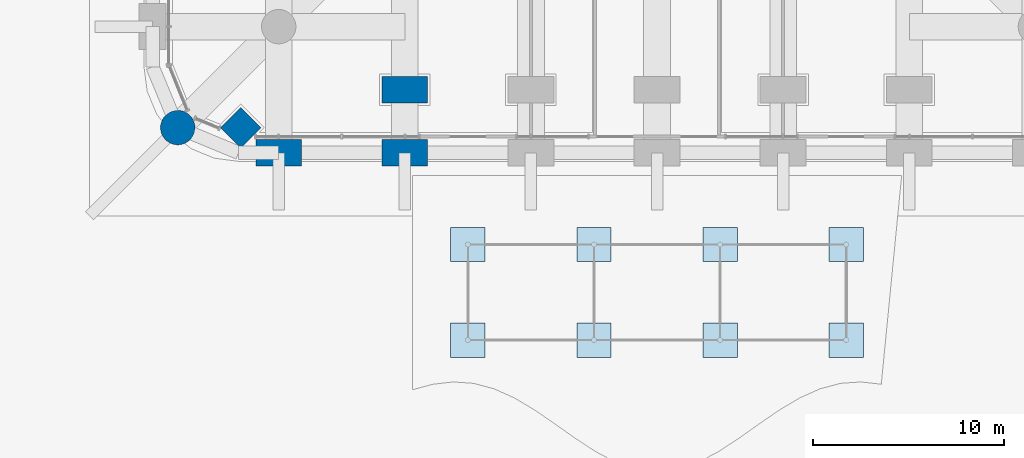
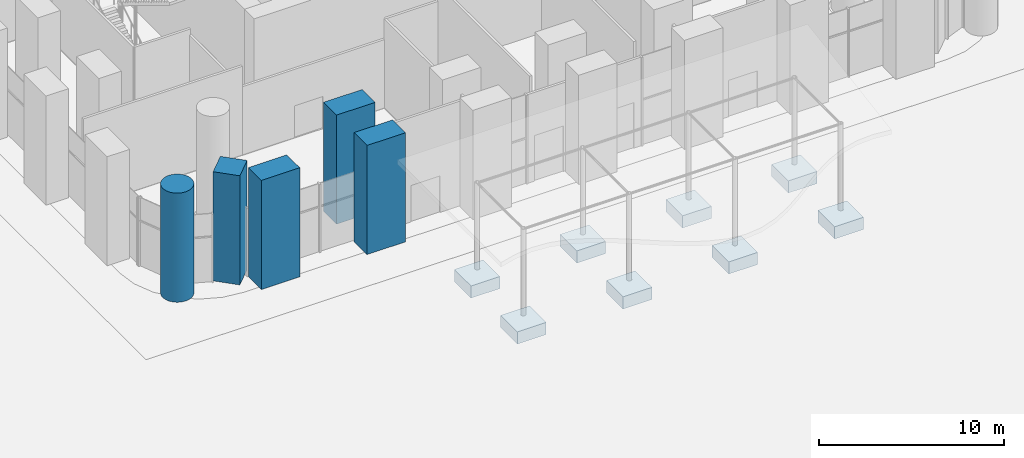
# One storey, part 1 of 32: 8 footings, 5 columns.
"""IFC4 building model written with IfcOpenShell, lengths in metres."""

from ifc_helpers import new_model, si_unit, direction, frame, origin, origin_2d, place, context, subcontext, project, spatial, rectangle, circle, extrude, material, layer, layer_set, material_profile, profile_set, type_object, element, save


model = new_model("IFC4")

# Units and contexts
model_context = context("Model", 3, precision=1e-05, world=origin(), true_north=direction((0.0, 1.0)))
body_context = subcontext(model_context, "Body", "Model", "MODEL_VIEW")
ifc_project = project(units=[si_unit("LENGTHUNIT", "METRE"), si_unit("AREAUNIT", "SQUARE_METRE"), si_unit("VOLUMEUNIT", "CUBIC_METRE"), si_unit("PLANEANGLEUNIT", "RADIAN"), si_unit("MASSUNIT", "GRAM", prefix="KILO")], contexts=[model_context])

# Site, building, storey
site_placement = place(None, origin())
site = spatial("IfcSite", under=ifc_project, at=site_placement, CompositionType="ELEMENT")
building_placement = place(site_placement, origin())
building = spatial("IfcBuilding", under=site, at=building_placement, Name="Cobogo Forest Laboratory Tower", CompositionType="ELEMENT")
storey_placement = place(building_placement, origin())
storey = spatial("IfcBuildingStorey", under=building, at=storey_placement, Name="L00", CompositionType="ELEMENT", Elevation=0.0)

# Footings
ifc_material_1 = material(Name="Concrete HA-40 (C40/50)", Category="concrete")
ifc_layer = layer(ifc_material_1, 0.800048828125)
ifc_layer_set = layer_set([ifc_layer], Name="Marquise column pad 1800x1800x800")
footing_type = type_object("IfcFootingType", Name="Marquise column pad 1800x1800x800", PredefinedType="PAD_FOOTING", material=ifc_layer_set)
for number, where, z_axis, x_axis, name in (
    (1, (16.5, -4.800048828125, -1.10009765625), (0.0, 0.0, 1.0), (1.0, 0.0, 0.0), "Marquise pad MQ1"),
    (2, (23.10009765625, -4.800048828125, -1.10009765625), (0.0, 0.0, 1.0), (1.0, 0.0, 0.0), "Marquise pad MQ2"),
    (3, (29.699951171875, -4.800048828125, -1.10009765625), (0.0, 0.0, 1.0), (1.0, 0.0, 0.0), "Marquise pad MQ3"),
    (4, (36.300048828125, -4.800048828125, -1.10009765625), (0.0, 0.0, 1.0), (1.0, 0.0, 0.0), "Marquise pad MQ4"),
    (5, (16.5, -9.800048828125, -1.10009765625), (0.0, 0.0, 1.0), (1.0, 0.0, 0.0), "Marquise pad MQ5"),
    (6, (23.10009765625, -9.800048828125, -1.10009765625), (0.0, 0.0, 1.0), (1.0, 0.0, 0.0), "Marquise pad MQ6"),
    (7, (29.699951171875, -9.800048828125, -1.10009765625), (0.0, 0.0, 1.0), (1.0, 0.0, 0.0), "Marquise pad MQ7"),
    (8, (36.300048828125, -9.800048828125, -1.10009765625), (0.0, 0.0, 1.0), (1.0, 0.0, 0.0), "Marquise pad MQ8"),
):
    element("IfcFooting", number, at=place(storey_placement, frame(where, z_axis=z_axis, x_axis=x_axis)), inside=storey, type_object=footing_type, Name=name, PredefinedType="PAD_FOOTING", context=body_context, shape_type="SweptSolid", body=[
        extrude(rectangle(XDim=1.800048828125, YDim=1.800048828125, at=origin_2d()), origin(), (0.0, 0.0, 1.0), 0.800048828125),
    ])

# Columns
ifc_material_2 = material(Name="Concrete HA-50 (C50/60)", Category="concrete")
ifc_material_profile_1 = material_profile(ifc_material_2, rectangle(XDim=2.39990234375, YDim=1.39990234375, at=origin_2d()), Name="RC 1400x2400")
ifc_profile_set_1 = profile_set([ifc_material_profile_1], Name="Concrete HA-50 (C50/60)")
column_type_1 = type_object("IfcColumnType", Name="Blade column 1400x2400", PredefinedType="COLUMN", material=ifc_profile_set_1)
for number, where, z_axis, x_axis, name in (
    (9, (6.60009765625, 0.0, 0.0), (0.0, 0.0, 1.0), (1.0, 0.0, 0.0), "Column 2-A L00"),
    (10, (13.199951171875, 0.0, 0.0), (0.0, 0.0, 1.0), (1.0, 0.0, 0.0), "Column 3-A L00"),
    (11, (13.199951171875, 3.300048828125, 0.0), (0.0, 0.0, 1.0), (1.0, 0.0, 0.0), "Column 3-A.1-C L00"),
):
    element("IfcColumn", number, at=place(storey_placement, frame(where, z_axis=z_axis, x_axis=x_axis)), inside=storey, type_object=column_type_1, Name=name, PredefinedType="COLUMN", context=body_context, shape_type="SweptSolid", body=[
        extrude(rectangle(XDim=2.39990234375, YDim=1.39990234375, at=origin_2d()), origin(), (0.0, 0.0, 1.0), 7.199951171875),
    ])
ifc_material_profile_2 = material_profile(ifc_material_2, rectangle(XDim=1.5, YDim=1.5, at=origin_2d()), Name="RC 1500x1500")
ifc_profile_set_2 = profile_set([ifc_material_profile_2], Name="Concrete HA-50 (C50/60)")
column_type_2 = type_object("IfcColumnType", Name="Column 1500x1500", PredefinedType="COLUMN", material=ifc_profile_set_2)
column_1_placement = place(storey_placement, frame((4.617919921875, 1.318115234375, 0.0), z_axis=(0.0, 0.0, 1.0), x_axis=(0.707106781187, 0.707106781187, 0.0)))
element("IfcColumn", 12, at=column_1_placement, inside=storey, type_object=column_type_2, Name="Column CNR-SW-B L00", PredefinedType="COLUMN", context=body_context, shape_type="SweptSolid", body=[
    extrude(rectangle(XDim=1.5, YDim=1.5, at=origin_2d()), origin(), (0.0, 0.0, 1.0), 7.199951171875),
])
ifc_material_profile_3 = material_profile(ifc_material_2, circle(Radius=0.89990234375, at=origin_2d()), Name="RC D1800")
ifc_profile_set_3 = profile_set([ifc_material_profile_3], Name="Concrete HA-50 (C50/60)")
column_type_3 = type_object("IfcColumnType", Name="Pilotis column D1800", PredefinedType="COLUMN", material=ifc_profile_set_3)
column_2_placement = place(storey_placement, frame((1.318115234375, 1.318115234375, 0.0), z_axis=(0.0, 0.0, 1.0), x_axis=(1.0, 0.0, 0.0)))
element("IfcColumn", 13, at=column_2_placement, inside=storey, type_object=column_type_3, Name="Column CNR-SW L00", PredefinedType="COLUMN", context=body_context, shape_type="SweptSolid", body=[
    extrude(circle(Radius=0.89990234375, at=origin_2d()), origin(), (0.0, 0.0, 1.0), 7.199951171875),
])

save(model, "model.ifc")
